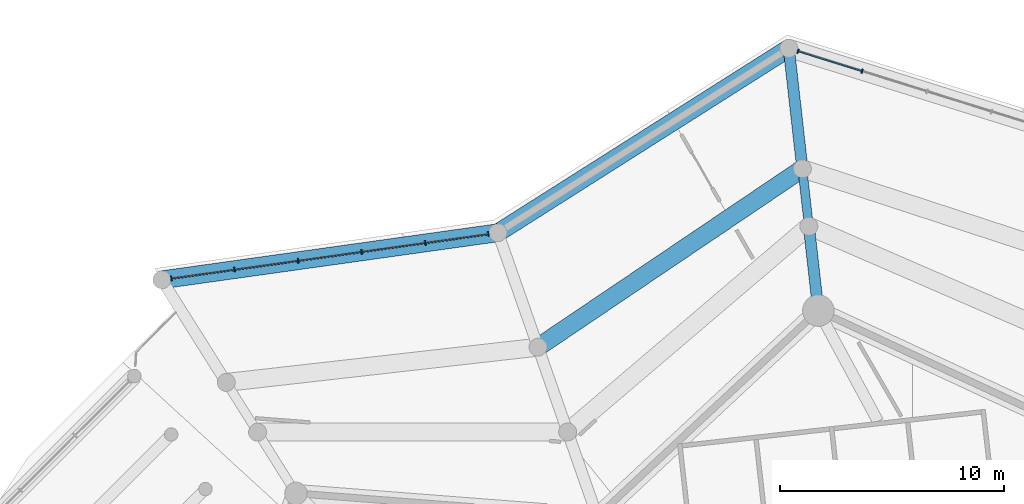
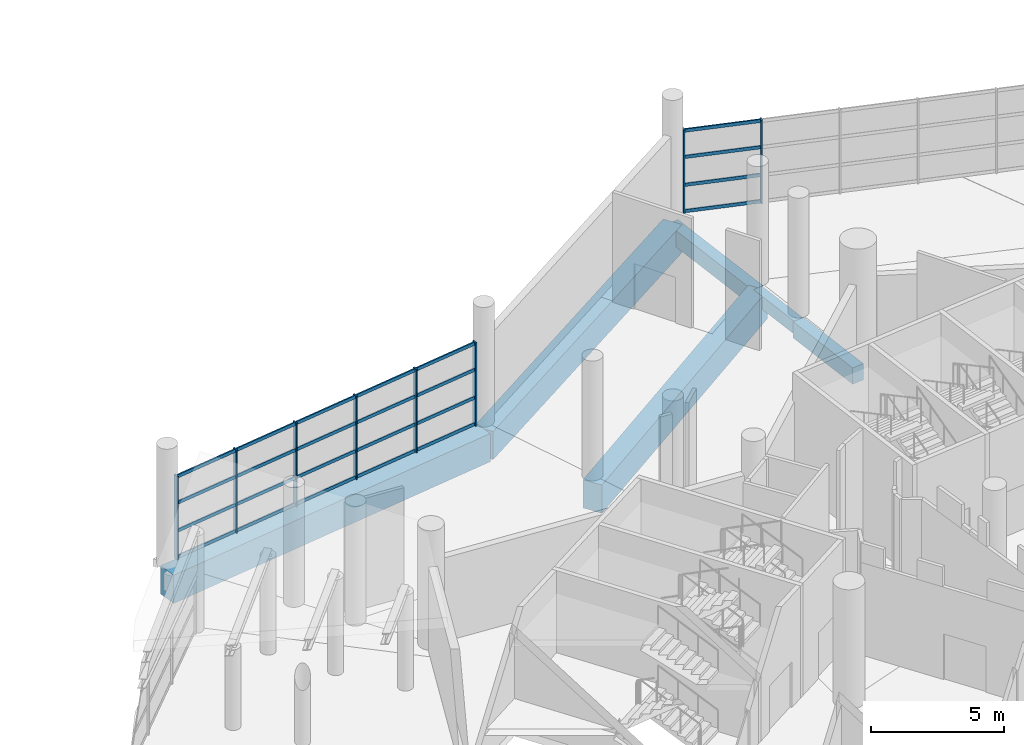
# One storey, part 81 of 271: 32 members, 6 beams, 2 elements without a shape of their own.
"""IFC4 building model written with IfcOpenShell, lengths in metres."""

from ifc_helpers import new_model, si_unit, direction, frame, origin, origin_2d, place, context, subcontext, project, spatial, rectangle, extrude, material, layer, layer_set, material_profile, profile_set, type_object, element, aggregate, save


model = new_model("IFC4")

# Units and contexts
model_context = context("Model", 3, precision=1e-05, world=origin(), true_north=direction((0.0, 1.0)))
body_context = subcontext(model_context, "Body", "Model", "MODEL_VIEW")
ifc_project = project(units=[si_unit("LENGTHUNIT", "METRE"), si_unit("AREAUNIT", "SQUARE_METRE"), si_unit("VOLUMEUNIT", "CUBIC_METRE"), si_unit("PLANEANGLEUNIT", "RADIAN"), si_unit("MASSUNIT", "GRAM", prefix="KILO")], contexts=[model_context])

# Site, building, storey
site_placement = place(None, origin())
site = spatial("IfcSite", under=ifc_project, at=site_placement, CompositionType="ELEMENT")
building_placement = place(site_placement, origin())
building = spatial("IfcBuilding", under=site, at=building_placement, Name="Meseta Stadium", CompositionType="ELEMENT")
storey_placement = place(building_placement, frame((0.0, 0.0, 6.5)))
storey = spatial("IfcBuildingStorey", under=building, at=storey_placement, Name="L01", CompositionType="ELEMENT", Elevation=6.5)

# Beams
ifc_material_1 = material(Name="Concrete C40/50", Category="concrete")
ifc_material_profile_1 = material_profile(ifc_material_1, rectangle(XDim=0.39990234375, YDim=0.60009765625, at=origin_2d()), Name="RC 400x600")
ifc_profile_set_1 = profile_set([ifc_material_profile_1], Name="Concrete C40/50")
beam_type_1 = type_object("IfcBeamType", Name="RC beam 400x600", PredefinedType="BEAM", material=ifc_profile_set_1)
beam_1_placement = place(storey_placement, frame((-52.626220703125, 108.80810546875, -0.64990234375), z_axis=(-0.111926742176, 0.99371646076, 0.0), x_axis=(-0.99371646076, -0.111926742176, 0.0)))
element("IfcBeam", 1, at=beam_1_placement, inside=storey, type_object=beam_type_1, Name="L01 radial beam frame 22 line M to Q", PredefinedType="BEAM", context=body_context, shape_type="SweptSolid", body=[
    extrude(rectangle(XDim=0.39990234375, YDim=0.60009765625, at=origin_2d()), origin(), (0.0, 0.0, 1.0), 2.580322265625),
])
ifc_material_2 = material(Name="Concrete C40/50", Category="concrete")
ifc_material_profile_2 = material_profile(ifc_material_2, rectangle(XDim=0.5, YDim=0.75, at=origin_2d()), Name="RC 500x750")
ifc_profile_set_2 = profile_set([ifc_material_profile_2], Name="Concrete C40/50")
beam_type_2 = type_object("IfcBeamType", Name="RC beam 500x750", PredefinedType="BEAM", material=ifc_profile_set_2)
beam_2_placement = place(storey_placement, frame((-52.202880859375, 105.0517578125, -0.72509765625), z_axis=(-0.111990888536, 0.993709233571, 0.0), x_axis=(-0.993709233571, -0.111990888536, 0.0)))
element("IfcBeam", 2, at=beam_2_placement, inside=storey, type_object=beam_type_2, Name="L01 radial beam frame 22 line R to M", PredefinedType="BEAM", context=body_context, shape_type="SweptSolid", body=[
    extrude(rectangle(XDim=0.5, YDim=0.75, at=origin_2d()), origin(), (0.0, 0.0, 1.0), 3.780029296875),
])
beam_3_placement = place(storey_placement, frame((-52.9150390625, 111.372314453125, -0.72509765625), z_axis=(-0.111944897098, 0.993714415722, 0.0), x_axis=(-0.993714415722, -0.111944897098, 0.0)))
element("IfcBeam", 3, at=beam_3_placement, inside=storey, type_object=beam_type_2, Name="L01 radial beam frame 22 line Q to O", PredefinedType="BEAM", context=body_context, shape_type="SweptSolid", body=[
    extrude(rectangle(XDim=0.5, YDim=0.75, at=origin_2d()), origin(), (0.0, 0.0, 1.0), 5.39990234375),
])
ifc_material_3 = material(Name="Concrete C40/50", Category="concrete")
ifc_material_profile_3 = material_profile(ifc_material_3, rectangle(XDim=0.800048828125, YDim=1.300048828125, at=origin_2d()), Name="RC 800x1300")
ifc_profile_set_3 = profile_set([ifc_material_profile_3], Name="Concrete C40/50")
beam_type_3 = type_object("IfcBeamType", Name="RC beam 800x1300", PredefinedType="BEAM", material=ifc_profile_set_3)
beam_4_placement = place(storey_placement, frame((-52.9150390625, 111.372314453125, -1.0), z_axis=(-0.828920770395, -0.559366030795, 0.0), x_axis=(0.559366030795, -0.828920770395, 0.0)))
element("IfcBeam", 4, at=beam_4_placement, inside=storey, type_object=beam_type_3, Name="L01 ring beam frame 22 line Q", PredefinedType="BEAM", context=body_context, shape_type="SweptSolid", body=[
    extrude(rectangle(XDim=0.800048828125, YDim=1.300048828125, at=origin_2d()), origin(), (0.0, 0.0, 1.0), 14.209716796875),
])
beam_5_placement = place(storey_placement, frame((-53.51953125, 116.73828125, -1.0), z_axis=(-0.844496467493, -0.535561122927, 0.0), x_axis=(0.535561122927, -0.844496467493, 0.0)))
element("IfcBeam", 5, at=beam_5_placement, inside=storey, type_object=beam_type_3, Name="L01 ring beam frame 22 line O", PredefinedType="BEAM", context=body_context, shape_type="SweptSolid", body=[
    extrude(rectangle(XDim=0.800048828125, YDim=1.300048828125, at=origin_2d()), origin(), (0.0, 0.0, 1.0), 15.34375),
])
beam_6_placement = place(storey_placement, frame((-66.477294921875, 108.520751953125, -1.0), z_axis=(-0.990344007641, -0.138631693814, 0.0), x_axis=(0.138631693814, -0.990344007641, 0.0)))
element("IfcBeam", 6, at=beam_6_placement, inside=storey, type_object=beam_type_3, Name="L01 ring beam frame 23 line O", PredefinedType="BEAM", context=body_context, shape_type="SweptSolid", body=[
    extrude(rectangle(XDim=0.800048828125, YDim=1.300048828125, at=origin_2d()), origin(), (0.0, 0.0, 1.0), 15.122314453125),
])

# Curtain wall, members
ifc_material_4 = material(Name="Aluminium", Category="aluminium")
ifc_layer = layer(ifc_material_4, 0.199951171875)
ifc_layer_set = layer_set([ifc_layer], Name="Ring shopfront curtain wall")
curtain_wall_type = type_object("IfcCurtainWallType", Name="Ring shopfront curtain wall", PredefinedType="NOTDEFINED", material=ifc_layer_set)
curtain_wall_1_placement = place(storey_placement, origin())
curtain_wall_1 = element("IfcCurtainWall", 7, at=curtain_wall_1_placement, inside=storey, type_object=curtain_wall_type, Name="Ring glazing L01 F21", PredefinedType="NOTDEFINED")
ifc_material_5 = material(Name="Aluminium", Category="aluminium")
ifc_material_profile_4 = material_profile(ifc_material_5, rectangle(XDim=0.199951171875, YDim=0.06005859375, at=origin_2d()), Name="CW 200x60")
ifc_profile_set_4 = profile_set([ifc_material_profile_4], Name="Aluminium")
member_type_1 = type_object("IfcMemberType", Name="Ring CW mullion 60x200", PredefinedType="MULLION", material=ifc_profile_set_4)
member_1_placement = place(storey_placement, frame((-50.253173828125, 115.71923828125, 0.0), z_axis=(0.0, 0.0, 1.0), x_axis=(-0.297861157885, -0.95460920309, 0.0)))
member_1 = element("IfcMember", 8, at=member_1_placement, type_object=member_type_1, Name="CWR1 mullion 5", PredefinedType="MULLION", context=body_context, shape_type="SweptSolid", body=[
    extrude(rectangle(XDim=0.199951171875, YDim=0.06005859375, at=origin_2d()), origin(), (0.0, 0.0, 1.0), 3.85009765625),
])
member_2_placement = place(storey_placement, frame((-53.109130859375, 116.6103515625, 0.0), z_axis=(0.0, 0.0, 1.0), x_axis=(-0.297861157885, -0.95460920309, 0.0)))
member_2 = element("IfcMember", 9, at=member_2_placement, type_object=member_type_1, Name="CWR1 mullion 6", PredefinedType="MULLION", context=body_context, shape_type="SweptSolid", body=[
    extrude(rectangle(XDim=0.199951171875, YDim=0.06005859375, at=origin_2d()), origin(), (0.0, 0.0, 1.0), 3.85009765625),
])

curtain_wall_2_placement = place(storey_placement, origin())
curtain_wall_2 = element("IfcCurtainWall", 10, at=curtain_wall_2_placement, inside=storey, type_object=curtain_wall_type, Name="Ring glazing L01 F23", PredefinedType="NOTDEFINED")
member_3_placement = place(storey_placement, frame((-66.903076171875, 108.461181640625, 0.0), z_axis=(0.0, 0.0, 1.0), x_axis=(0.13864277713, -0.990342456098, 0.0)))
member_3 = element("IfcMember", 11, at=member_3_placement, type_object=member_type_1, Name="CWR1 mullion 1", PredefinedType="MULLION", context=body_context, shape_type="SweptSolid", body=[
    extrude(rectangle(XDim=0.199951171875, YDim=0.06005859375, at=origin_2d()), origin(), (0.0, 0.0, 1.0), 3.85009765625),
])
member_4_placement = place(storey_placement, frame((-69.710205078125, 108.068115234375, 0.0), z_axis=(0.0, 0.0, 1.0), x_axis=(0.13864277713, -0.990342456098, 0.0)))
member_4 = element("IfcMember", 12, at=member_4_placement, type_object=member_type_1, Name="CWR1 mullion 2", PredefinedType="MULLION", context=body_context, shape_type="SweptSolid", body=[
    extrude(rectangle(XDim=0.199951171875, YDim=0.06005859375, at=origin_2d()), origin(), (0.0, 0.0, 1.0), 3.85009765625),
])
member_5_placement = place(storey_placement, frame((-72.547119140625, 107.6708984375, 0.0), z_axis=(0.0, 0.0, 1.0), x_axis=(0.13864277713, -0.990342456098, 0.0)))
member_5 = element("IfcMember", 13, at=member_5_placement, type_object=member_type_1, Name="CWR1 mullion 3", PredefinedType="MULLION", context=body_context, shape_type="SweptSolid", body=[
    extrude(rectangle(XDim=0.199951171875, YDim=0.06005859375, at=origin_2d()), origin(), (0.0, 0.0, 1.0), 3.85009765625),
])
member_6_placement = place(storey_placement, frame((-75.3837890625, 107.27392578125, 0.0), z_axis=(0.0, 0.0, 1.0), x_axis=(0.13864277713, -0.990342456098, 0.0)))
member_6 = element("IfcMember", 14, at=member_6_placement, type_object=member_type_1, Name="CWR1 mullion 4", PredefinedType="MULLION", context=body_context, shape_type="SweptSolid", body=[
    extrude(rectangle(XDim=0.199951171875, YDim=0.06005859375, at=origin_2d()), origin(), (0.0, 0.0, 1.0), 3.85009765625),
])
member_7_placement = place(storey_placement, frame((-78.220703125, 106.876708984375, 0.0), z_axis=(0.0, 0.0, 1.0), x_axis=(0.13864277713, -0.990342456098, 0.0)))
member_7 = element("IfcMember", 15, at=member_7_placement, type_object=member_type_1, Name="CWR1 mullion 5", PredefinedType="MULLION", context=body_context, shape_type="SweptSolid", body=[
    extrude(rectangle(XDim=0.199951171875, YDim=0.06005859375, at=origin_2d()), origin(), (0.0, 0.0, 1.0), 3.85009765625),
])
member_8_placement = place(storey_placement, frame((-81.02783203125, 106.483642578125, 0.0), z_axis=(0.0, 0.0, 1.0), x_axis=(0.13864277713, -0.990342456098, 0.0)))
member_8 = element("IfcMember", 16, at=member_8_placement, type_object=member_type_1, Name="CWR1 mullion 6", PredefinedType="MULLION", context=body_context, shape_type="SweptSolid", body=[
    extrude(rectangle(XDim=0.199951171875, YDim=0.06005859375, at=origin_2d()), origin(), (0.0, 0.0, 1.0), 3.85009765625),
])

# Member
ifc_material_6 = material(Name="Aluminium", Category="aluminium")
ifc_material_profile_5 = material_profile(ifc_material_6, rectangle(XDim=0.06005859375, YDim=0.14990234375, at=origin_2d()), Name="CW 60x150")
ifc_profile_set_5 = profile_set([ifc_material_profile_5], Name="Aluminium")
member_type_2 = type_object("IfcMemberType", Name="Ring CW transom 60x150", PredefinedType="USERDEFINED", material=ifc_profile_set_5)
member_9_placement = place(storey_placement, frame((-50.281982421875, 115.728271484375, 0.074951171875), z_axis=(-0.954626563938, 0.297805512749, 0.0), x_axis=(-0.297805512749, -0.954626563938, 0.0)))
member_9 = element("IfcMember", 17, at=member_9_placement, type_object=member_type_2, Name="CWR1 transom 5.1", ObjectType="TRANSOM", PredefinedType="USERDEFINED", context=body_context, shape_type="SweptSolid", body=[
    extrude(rectangle(XDim=0.06005859375, YDim=0.14990234375, at=origin_2d()), origin(), (0.0, 0.0, 1.0), 2.931640625),
])

member_10_placement = place(storey_placement, frame((-50.281982421875, 115.728271484375, 1.283447265625), z_axis=(-0.954626563938, 0.297805512749, 0.0), x_axis=(-0.297805512749, -0.954626563938, 0.0)))
member_10 = element("IfcMember", 18, at=member_10_placement, type_object=member_type_2, Name="CWR1 transom 5.2", ObjectType="TRANSOM", PredefinedType="USERDEFINED", context=body_context, shape_type="SweptSolid", body=[
    extrude(rectangle(XDim=0.06005859375, YDim=0.14990234375, at=origin_2d()), origin(), (0.0, 0.0, 1.0), 2.931640625),
])

member_11_placement = place(storey_placement, frame((-50.281982421875, 115.728271484375, 2.566650390625), z_axis=(-0.954626563938, 0.297805512749, 0.0), x_axis=(-0.297805512749, -0.954626563938, 0.0)))
member_11 = element("IfcMember", 19, at=member_11_placement, type_object=member_type_2, Name="CWR1 transom 5.3", ObjectType="TRANSOM", PredefinedType="USERDEFINED", context=body_context, shape_type="SweptSolid", body=[
    extrude(rectangle(XDim=0.06005859375, YDim=0.14990234375, at=origin_2d()), origin(), (0.0, 0.0, 1.0), 2.931640625),
])

member_12_placement = place(storey_placement, frame((-50.281982421875, 115.728271484375, 3.77490234375), z_axis=(-0.954626563938, 0.297805512749, 0.0), x_axis=(-0.297805512749, -0.954626563938, 0.0)))
member_12 = element("IfcMember", 20, at=member_12_placement, type_object=member_type_2, Name="CWR1 transom 5.4", ObjectType="TRANSOM", PredefinedType="USERDEFINED", context=body_context, shape_type="SweptSolid", body=[
    extrude(rectangle(XDim=0.06005859375, YDim=0.14990234375, at=origin_2d()), origin(), (0.0, 0.0, 1.0), 2.931640625),
])

aggregate(curtain_wall_1, [member_1, member_2, member_9, member_10, member_11, member_12])

member_13_placement = place(storey_placement, frame((-66.932861328125, 108.45703125, 0.074951171875), z_axis=(-0.990336429435, -0.138685819512, 0.0), x_axis=(0.138685819512, -0.990336429435, 0.0)))
member_13 = element("IfcMember", 21, at=member_13_placement, type_object=member_type_2, Name="CWR1 transom 1.1", ObjectType="TRANSOM", PredefinedType="USERDEFINED", context=body_context, shape_type="SweptSolid", body=[
    extrude(rectangle(XDim=0.06005859375, YDim=0.14990234375, at=origin_2d()), origin(), (0.0, 0.0, 1.0), 2.7744140625),
])

member_14_placement = place(storey_placement, frame((-66.932861328125, 108.45703125, 1.283447265625), z_axis=(-0.990336429435, -0.138685819512, 0.0), x_axis=(0.138685819512, -0.990336429435, 0.0)))
member_14 = element("IfcMember", 22, at=member_14_placement, type_object=member_type_2, Name="CWR1 transom 1.2", ObjectType="TRANSOM", PredefinedType="USERDEFINED", context=body_context, shape_type="SweptSolid", body=[
    extrude(rectangle(XDim=0.06005859375, YDim=0.14990234375, at=origin_2d()), origin(), (0.0, 0.0, 1.0), 2.7744140625),
])

member_15_placement = place(storey_placement, frame((-66.932861328125, 108.45703125, 2.566650390625), z_axis=(-0.990336429435, -0.138685819512, 0.0), x_axis=(0.138685819512, -0.990336429435, 0.0)))
member_15 = element("IfcMember", 23, at=member_15_placement, type_object=member_type_2, Name="CWR1 transom 1.3", ObjectType="TRANSOM", PredefinedType="USERDEFINED", context=body_context, shape_type="SweptSolid", body=[
    extrude(rectangle(XDim=0.06005859375, YDim=0.14990234375, at=origin_2d()), origin(), (0.0, 0.0, 1.0), 2.7744140625),
])

member_16_placement = place(storey_placement, frame((-66.932861328125, 108.45703125, 3.77490234375), z_axis=(-0.990336429435, -0.138685819512, 0.0), x_axis=(0.138685819512, -0.990336429435, 0.0)))
member_16 = element("IfcMember", 24, at=member_16_placement, type_object=member_type_2, Name="CWR1 transom 1.4", ObjectType="TRANSOM", PredefinedType="USERDEFINED", context=body_context, shape_type="SweptSolid", body=[
    extrude(rectangle(XDim=0.06005859375, YDim=0.14990234375, at=origin_2d()), origin(), (0.0, 0.0, 1.0), 2.7744140625),
])

member_17_placement = place(storey_placement, frame((-69.739990234375, 108.06396484375, 0.074951171875), z_axis=(-0.990349395442, -0.138593199503, 0.0), x_axis=(0.138593199503, -0.990349395442, 0.0)))
member_17 = element("IfcMember", 25, at=member_17_placement, type_object=member_type_2, Name="CWR1 transom 2.1", ObjectType="TRANSOM", PredefinedType="USERDEFINED", context=body_context, shape_type="SweptSolid", body=[
    extrude(rectangle(XDim=0.06005859375, YDim=0.14990234375, at=origin_2d()), origin(), (0.0, 0.0, 1.0), 2.804443359375),
])

member_18_placement = place(storey_placement, frame((-69.739990234375, 108.06396484375, 1.283447265625), z_axis=(-0.990349395442, -0.138593199503, 0.0), x_axis=(0.138593199503, -0.990349395442, 0.0)))
member_18 = element("IfcMember", 26, at=member_18_placement, type_object=member_type_2, Name="CWR1 transom 2.2", ObjectType="TRANSOM", PredefinedType="USERDEFINED", context=body_context, shape_type="SweptSolid", body=[
    extrude(rectangle(XDim=0.06005859375, YDim=0.14990234375, at=origin_2d()), origin(), (0.0, 0.0, 1.0), 2.804443359375),
])

member_19_placement = place(storey_placement, frame((-69.739990234375, 108.06396484375, 2.566650390625), z_axis=(-0.990349395442, -0.138593199503, 0.0), x_axis=(0.138593199503, -0.990349395442, 0.0)))
member_19 = element("IfcMember", 27, at=member_19_placement, type_object=member_type_2, Name="CWR1 transom 2.3", ObjectType="TRANSOM", PredefinedType="USERDEFINED", context=body_context, shape_type="SweptSolid", body=[
    extrude(rectangle(XDim=0.06005859375, YDim=0.14990234375, at=origin_2d()), origin(), (0.0, 0.0, 1.0), 2.804443359375),
])

member_20_placement = place(storey_placement, frame((-69.739990234375, 108.06396484375, 3.77490234375), z_axis=(-0.990349395442, -0.138593199503, 0.0), x_axis=(0.138593199503, -0.990349395442, 0.0)))
member_20 = element("IfcMember", 28, at=member_20_placement, type_object=member_type_2, Name="CWR1 transom 2.4", ObjectType="TRANSOM", PredefinedType="USERDEFINED", context=body_context, shape_type="SweptSolid", body=[
    extrude(rectangle(XDim=0.06005859375, YDim=0.14990234375, at=origin_2d()), origin(), (0.0, 0.0, 1.0), 2.804443359375),
])

member_21_placement = place(storey_placement, frame((-72.57666015625, 107.666748046875, 0.074951171875), z_axis=(-0.990351067404, -0.138581251587, 0.0), x_axis=(0.138581251587, -0.990351067404, 0.0)))
member_21 = element("IfcMember", 29, at=member_21_placement, type_object=member_type_2, Name="CWR1 transom 3.1", ObjectType="TRANSOM", PredefinedType="USERDEFINED", context=body_context, shape_type="SweptSolid", body=[
    extrude(rectangle(XDim=0.06005859375, YDim=0.14990234375, at=origin_2d()), origin(), (0.0, 0.0, 1.0), 2.8046875),
])

member_22_placement = place(storey_placement, frame((-72.57666015625, 107.666748046875, 1.283447265625), z_axis=(-0.990351067404, -0.138581251587, 0.0), x_axis=(0.138581251587, -0.990351067404, 0.0)))
member_22 = element("IfcMember", 30, at=member_22_placement, type_object=member_type_2, Name="CWR1 transom 3.2", ObjectType="TRANSOM", PredefinedType="USERDEFINED", context=body_context, shape_type="SweptSolid", body=[
    extrude(rectangle(XDim=0.06005859375, YDim=0.14990234375, at=origin_2d()), origin(), (0.0, 0.0, 1.0), 2.8046875),
])

member_23_placement = place(storey_placement, frame((-72.57666015625, 107.666748046875, 2.566650390625), z_axis=(-0.990351067404, -0.138581251587, 0.0), x_axis=(0.138581251587, -0.990351067404, 0.0)))
member_23 = element("IfcMember", 31, at=member_23_placement, type_object=member_type_2, Name="CWR1 transom 3.3", ObjectType="TRANSOM", PredefinedType="USERDEFINED", context=body_context, shape_type="SweptSolid", body=[
    extrude(rectangle(XDim=0.06005859375, YDim=0.14990234375, at=origin_2d()), origin(), (0.0, 0.0, 1.0), 2.8046875),
])

member_24_placement = place(storey_placement, frame((-72.57666015625, 107.666748046875, 3.77490234375), z_axis=(-0.990351067404, -0.138581251587, 0.0), x_axis=(0.138581251587, -0.990351067404, 0.0)))
member_24 = element("IfcMember", 32, at=member_24_placement, type_object=member_type_2, Name="CWR1 transom 3.4", ObjectType="TRANSOM", PredefinedType="USERDEFINED", context=body_context, shape_type="SweptSolid", body=[
    extrude(rectangle(XDim=0.06005859375, YDim=0.14990234375, at=origin_2d()), origin(), (0.0, 0.0, 1.0), 2.8046875),
])

member_25_placement = place(storey_placement, frame((-75.41357421875, 107.269775390625, 0.074951171875), z_axis=(-0.99033744297, -0.138678581808, 0.0), x_axis=(0.138678581808, -0.99033744297, 0.0)))
member_25 = element("IfcMember", 33, at=member_25_placement, type_object=member_type_2, Name="CWR1 transom 4.1", ObjectType="TRANSOM", PredefinedType="USERDEFINED", context=body_context, shape_type="SweptSolid", body=[
    extrude(rectangle(XDim=0.06005859375, YDim=0.14990234375, at=origin_2d()), origin(), (0.0, 0.0, 1.0), 2.804443359375),
])

member_26_placement = place(storey_placement, frame((-75.41357421875, 107.269775390625, 1.283447265625), z_axis=(-0.99033744297, -0.138678581808, 0.0), x_axis=(0.138678581808, -0.99033744297, 0.0)))
member_26 = element("IfcMember", 34, at=member_26_placement, type_object=member_type_2, Name="CWR1 transom 4.2", ObjectType="TRANSOM", PredefinedType="USERDEFINED", context=body_context, shape_type="SweptSolid", body=[
    extrude(rectangle(XDim=0.06005859375, YDim=0.14990234375, at=origin_2d()), origin(), (0.0, 0.0, 1.0), 2.804443359375),
])

member_27_placement = place(storey_placement, frame((-75.41357421875, 107.269775390625, 2.566650390625), z_axis=(-0.99033744297, -0.138678581808, 0.0), x_axis=(0.138678581808, -0.99033744297, 0.0)))
member_27 = element("IfcMember", 35, at=member_27_placement, type_object=member_type_2, Name="CWR1 transom 4.3", ObjectType="TRANSOM", PredefinedType="USERDEFINED", context=body_context, shape_type="SweptSolid", body=[
    extrude(rectangle(XDim=0.06005859375, YDim=0.14990234375, at=origin_2d()), origin(), (0.0, 0.0, 1.0), 2.804443359375),
])

member_28_placement = place(storey_placement, frame((-75.41357421875, 107.269775390625, 3.77490234375), z_axis=(-0.99033744297, -0.138678581808, 0.0), x_axis=(0.138678581808, -0.99033744297, 0.0)))
member_28 = element("IfcMember", 36, at=member_28_placement, type_object=member_type_2, Name="CWR1 transom 4.4", ObjectType="TRANSOM", PredefinedType="USERDEFINED", context=body_context, shape_type="SweptSolid", body=[
    extrude(rectangle(XDim=0.06005859375, YDim=0.14990234375, at=origin_2d()), origin(), (0.0, 0.0, 1.0), 2.804443359375),
])

member_29_placement = place(storey_placement, frame((-78.25048828125, 106.87255859375, 0.074951171875), z_axis=(-0.990348512046, -0.13859951186, 0.0), x_axis=(0.13859951186, -0.990348512046, 0.0)))
member_29 = element("IfcMember", 37, at=member_29_placement, type_object=member_type_2, Name="CWR1 transom 5.1", ObjectType="TRANSOM", PredefinedType="USERDEFINED", context=body_context, shape_type="SweptSolid", body=[
    extrude(rectangle(XDim=0.06005859375, YDim=0.14990234375, at=origin_2d()), origin(), (0.0, 0.0, 1.0), 2.7744140625),
])

member_30_placement = place(storey_placement, frame((-78.25048828125, 106.87255859375, 1.283447265625), z_axis=(-0.990348512046, -0.13859951186, 0.0), x_axis=(0.13859951186, -0.990348512046, 0.0)))
member_30 = element("IfcMember", 38, at=member_30_placement, type_object=member_type_2, Name="CWR1 transom 5.2", ObjectType="TRANSOM", PredefinedType="USERDEFINED", context=body_context, shape_type="SweptSolid", body=[
    extrude(rectangle(XDim=0.06005859375, YDim=0.14990234375, at=origin_2d()), origin(), (0.0, 0.0, 1.0), 2.7744140625),
])

member_31_placement = place(storey_placement, frame((-78.25048828125, 106.87255859375, 2.566650390625), z_axis=(-0.990348512046, -0.13859951186, 0.0), x_axis=(0.13859951186, -0.990348512046, 0.0)))
member_31 = element("IfcMember", 39, at=member_31_placement, type_object=member_type_2, Name="CWR1 transom 5.3", ObjectType="TRANSOM", PredefinedType="USERDEFINED", context=body_context, shape_type="SweptSolid", body=[
    extrude(rectangle(XDim=0.06005859375, YDim=0.14990234375, at=origin_2d()), origin(), (0.0, 0.0, 1.0), 2.7744140625),
])

member_32_placement = place(storey_placement, frame((-78.25048828125, 106.87255859375, 3.77490234375), z_axis=(-0.990348512046, -0.13859951186, 0.0), x_axis=(0.13859951186, -0.990348512046, 0.0)))
member_32 = element("IfcMember", 40, at=member_32_placement, type_object=member_type_2, Name="CWR1 transom 5.4", ObjectType="TRANSOM", PredefinedType="USERDEFINED", context=body_context, shape_type="SweptSolid", body=[
    extrude(rectangle(XDim=0.06005859375, YDim=0.14990234375, at=origin_2d()), origin(), (0.0, 0.0, 1.0), 2.7744140625),
])

aggregate(curtain_wall_2, [member_3, member_4, member_5, member_6, member_7, member_8, member_13, member_14, member_15, member_16, member_17, member_18, member_19, member_20, member_21, member_22, member_23, member_24, member_25, member_26, member_27, member_28, member_29, member_30, member_31, member_32])

save(model, "model.ifc")
